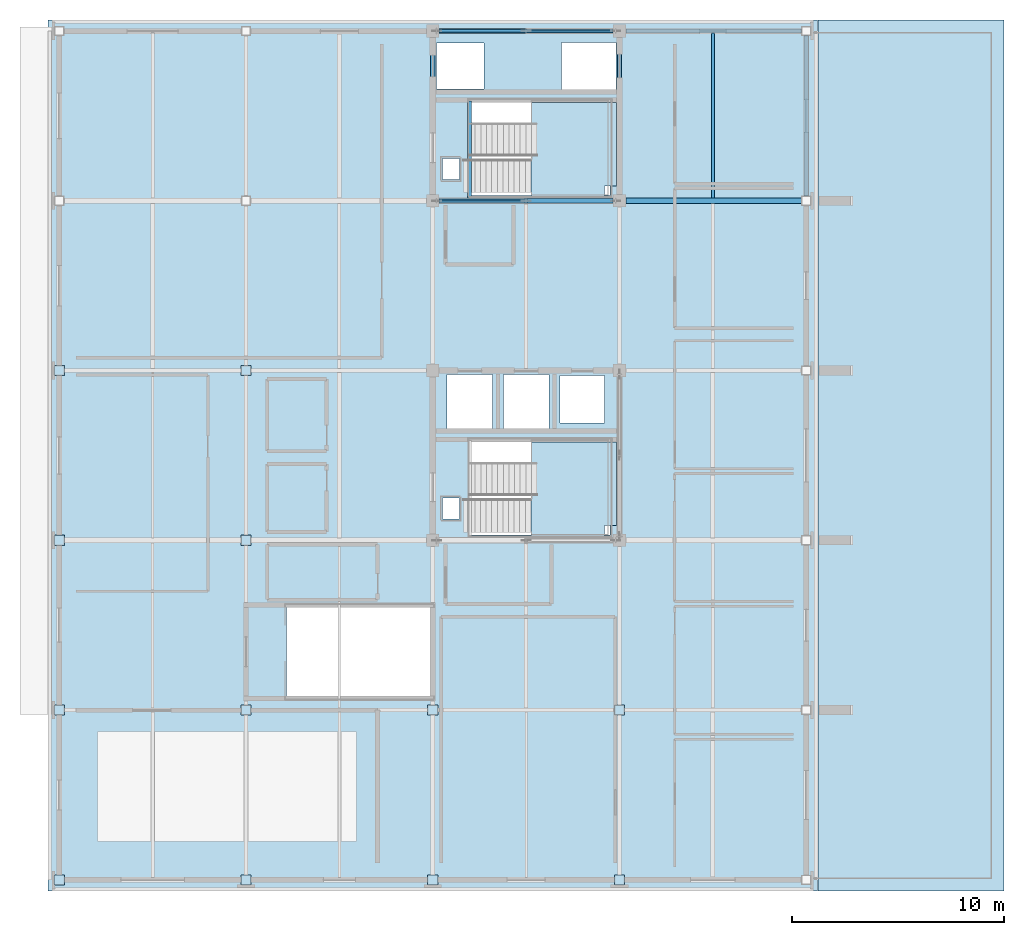
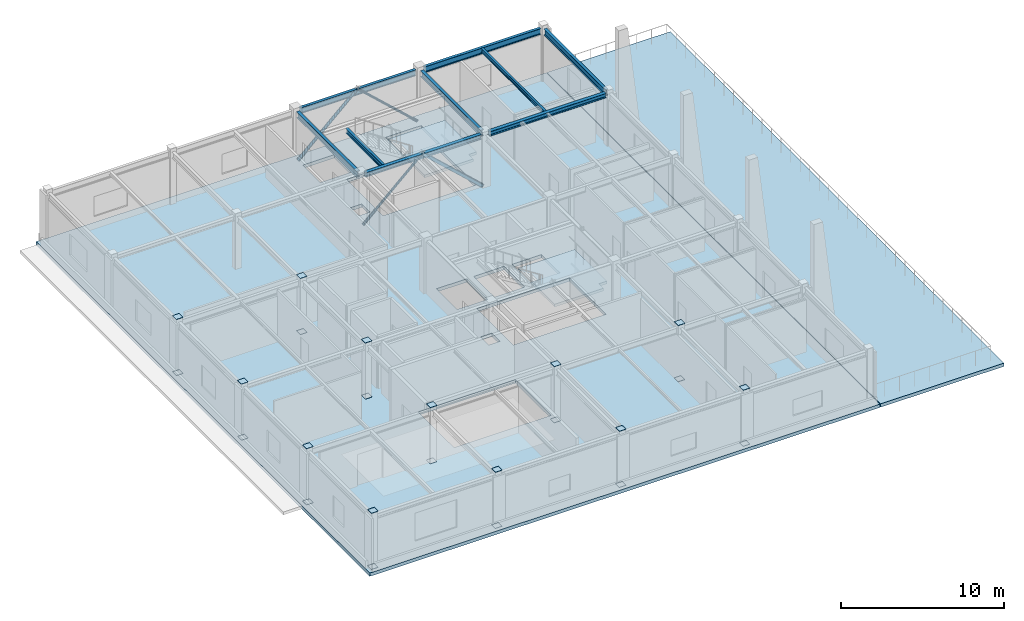
# One storey, part 2 of 13: 28 plates, 9 beams, 4 members, 4 slabs, 2 elements without a shape of their own.
"""IFC4 building model written with IfcOpenShell, lengths in metres."""

import ifcopenshell
import ifcopenshell.guid

model = None  # the IFC model being written
_history = None  # IfcOwnerHistory: only IFC2X3 demands one
_inside = {}  # id of a spatial element -> (the spatial element, [elements in it])
_under = {}  # id of a project, library or spatial element -> (it, [spatial elements below it])
_declared = {}  # id of a project -> (the project, [libraries it declares])
_typed = {}  # id of a type object -> (the type object, [elements of that type])
_made_of = {}  # id of a material, layer set ... -> (it, [elements and type objects made of it])


def new_model(schema):
    """Start an empty IFC model of exactly this schema.

    Asked for "IFC4X3", IfcOpenShell would pick the latest addendum, in which some entities
    have other attributes; the version numbers below select the first issue.
    IFC2X3 requires an IfcOwnerHistory on every rooted entity: one is made here for all.
    """
    global model, _history
    if schema == "IFC4X3":
        model = ifcopenshell.file(schema_version=(4, 3, 0, 0))
    else:
        model = ifcopenshell.file(schema=schema)
    _inside.clear()
    _under.clear()
    _declared.clear()
    _typed.clear()
    _made_of.clear()
    _history = None
    if model.schema == "IFC2X3":
        org = make("IfcOrganization", Name="unknown")
        user = make(
            "IfcPersonAndOrganization",
            ThePerson=make("IfcPerson", FamilyName="unknown"),
            TheOrganization=org,
        )
        app = make(
            "IfcApplication",
            ApplicationDeveloper=org,
            Version="unknown",
            ApplicationFullName="unknown",
            ApplicationIdentifier="unknown",
        )
        _history = make(
            "IfcOwnerHistory",
            OwningUser=user,
            OwningApplication=app,
            ChangeAction="ADDED",
            CreationDate=0,
        )
    return model


def make(cls, **values):
    """One entity of the class cls with the attributes given. An attribute that is None is left unset."""
    return model.create_entity(
        cls, **{name: value for name, value in values.items() if value is not None}
    )


def rooted(cls, **values):
    """An entity with a GlobalId (a new one), such as an element, a storey or a relation."""
    return make(cls, GlobalId=ifcopenshell.guid.new(), OwnerHistory=_history, **values)


def si_unit(unit_type, name, prefix=None):
    """IfcSIUnit, for example si_unit("LENGTHUNIT", "METRE", prefix="MILLI")."""
    return make("IfcSIUnit", UnitType=unit_type, Prefix=prefix, Name=name)


def assignment(units):
    """IfcUnitAssignment: the units of a project."""
    return None if units is None else make("IfcUnitAssignment", Units=units)


def point(xyz):
    """IfcCartesianPoint."""
    return None if xyz is None else make("IfcCartesianPoint", Coordinates=xyz)


def direction(xyz):
    """IfcDirection."""
    return None if xyz is None else make("IfcDirection", DirectionRatios=xyz)


def frame(location, z_axis=None, x_axis=None):
    """IfcAxis2Placement3D, a coordinate frame: its origin and axes. An axis left out is left unset."""
    return make(
        "IfcAxis2Placement3D",
        Location=point(location),
        Axis=direction(z_axis),
        RefDirection=direction(x_axis),
    )


def frame_2d(location, x_axis=None):
    """IfcAxis2Placement2D, a coordinate frame in the plane: its origin and x axis."""
    return make(
        "IfcAxis2Placement2D", Location=point(location), RefDirection=direction(x_axis)
    )


def origin():
    """The frame at (0, 0, 0) with its axes left unset."""
    return frame((0.0, 0.0, 0.0))


def origin_2d():
    """The frame at (0, 0) in the plane with its x axis left unset."""
    return frame_2d((0.0, 0.0))


def place(relative_to, where):
    """IfcLocalPlacement: puts the frame where relative to a parent placement (None: the world)."""
    return make(
        "IfcLocalPlacement", PlacementRelTo=relative_to, RelativePlacement=where
    )


def context(
    kind, dimensions, precision=None, world=None, true_north=None, identifier=None
):
    """IfcGeometricRepresentationContext, for example the 3D "Model" context."""
    return make(
        "IfcGeometricRepresentationContext",
        ContextIdentifier=identifier,
        ContextType=kind,
        CoordinateSpaceDimension=dimensions,
        Precision=precision,
        WorldCoordinateSystem=world,
        TrueNorth=true_north,
    )


def subcontext(parent, identifier, kind, view, scale=None):
    """IfcGeometricRepresentationSubContext, for example "Body" below "Model"."""
    return make(
        "IfcGeometricRepresentationSubContext",
        ContextIdentifier=identifier,
        ContextType=kind,
        ParentContext=parent,
        TargetScale=scale,
        TargetView=view,
    )


def project(units=None, contexts=None):
    """IfcProject with its units and contexts."""
    return rooted(
        "IfcProject",
        Name="project",
        RepresentationContexts=contexts,
        UnitsInContext=assignment(units),
    )


def spatial(cls, under=None, at=None, **own):
    """A site, building, storey or space (cls), placed at a placement, below another one or the project."""
    s = rooted(cls, ObjectPlacement=at, **own)
    if under is not None:
        _under.setdefault(under.id(), (under, []))[1].append(s)
    return s


def polyline(points):
    """IfcPolyline through the points."""
    return make("IfcPolyline", Points=[point(p) for p in points])


def profile(cls, at=None, kind="AREA", **sizes):
    """A parametric profile (cls). Its sizes go by their IFC names, for example OverallWidth=200.0."""
    return make(cls, ProfileType=kind, Position=at, **sizes)


def rectangle(**sizes):
    """IfcRectangleProfileDef."""
    return profile("IfcRectangleProfileDef", **sizes)


def hollow_rectangle(**sizes):
    """IfcRectangleHollowProfileDef."""
    return profile("IfcRectangleHollowProfileDef", **sizes)


def hollow_circle(**sizes):
    """IfcCircleHollowProfileDef."""
    return profile("IfcCircleHollowProfileDef", **sizes)


def i_section(**sizes):
    """IfcIShapeProfileDef."""
    return profile("IfcIShapeProfileDef", **sizes)


def outline(outer, holes=None, kind="AREA"):
    """IfcArbitraryClosedProfileDef: a profile drawn as a closed curve; with holes, ...WithVoids."""
    if holes is None:
        return make("IfcArbitraryClosedProfileDef", ProfileType=kind, OuterCurve=outer)
    return make(
        "IfcArbitraryProfileDefWithVoids",
        ProfileType=kind,
        OuterCurve=outer,
        InnerCurves=holes,
    )


def extrude(swept, where, along, depth):
    """IfcExtrudedAreaSolid: the profile swept, set in the frame where, extruded along a direction by depth."""
    return make(
        "IfcExtrudedAreaSolid",
        SweptArea=swept,
        Position=where,
        ExtrudedDirection=direction(along),
        Depth=depth,
    )


def shape(context_of_items, identifier, shape_type, items):
    """IfcShapeRepresentation: the items that make up one representation, for example the "Body"."""
    return make(
        "IfcShapeRepresentation",
        ContextOfItems=context_of_items,
        RepresentationIdentifier=identifier,
        RepresentationType=shape_type,
        Items=items,
    )


def material(Name=None, Category=None):
    """IfcMaterial."""
    return make("IfcMaterial", Name=Name, Category=Category)


def layer(
    of_material, thickness, ventilated=None, Name=None, Category=None, Priority=None
):
    """IfcMaterialLayer: one layer of a wall or slab, of a material (None: an air gap)."""
    return make(
        "IfcMaterialLayer",
        Material=of_material,
        LayerThickness=thickness,
        IsVentilated=ventilated,
        Name=Name,
        Category=Category,
        Priority=Priority,
    )


def layer_set(layers, Name=None):
    """IfcMaterialLayerSet."""
    return make("IfcMaterialLayerSet", MaterialLayers=layers, LayerSetName=Name)


def material_profile(
    of_material, cross_section, Name=None, Category=None, Priority=None
):
    """IfcMaterialProfile: a cross section and its material."""
    return make(
        "IfcMaterialProfile",
        Name=Name,
        Material=of_material,
        Profile=cross_section,
        Priority=Priority,
        Category=Category,
    )


def profile_set(profiles, Name=None, composite=None):
    """IfcMaterialProfileSet."""
    return make(
        "IfcMaterialProfileSet",
        Name=Name,
        MaterialProfiles=profiles,
        CompositeProfile=composite,
    )


def made_of(thing, what):
    """Note that an element or type object is made of a material, layer set ...; save() writes the relation."""
    if what is not None:
        _made_of.setdefault(what.id(), (what, []))[1].append(thing)
    return thing


def type_object(cls, material=None, **own):
    """A type object (cls), such as IfcWallType, which elements share."""
    return made_of(rooted(cls, **own), material)


def element(
    cls,
    number,
    at=None,
    inside=None,
    cuts=None,
    type_object=None,
    material=None,
    context=None,
    identifier="Body",
    shape_type=None,
    held_by="IfcProductDefinitionShape",
    body=None,
    shapes=None,
    **own,
):
    """One element of the class cls, such as IfcWall. Its Tag is "e" and its number.

    at: its placement. inside: the storey or other place that contains it. cuts: it is an
    opening in that element (IfcRelVoidsElement). A single representation is given by context,
    identifier, shape_type and body (its items); several are given by shapes. held_by: the class
    of the entity that holds the representations. save() writes the other relations.
    """
    e = rooted(cls, Tag="e%d" % number, ObjectPlacement=at, **own)
    if body is not None:
        shapes = [shape(context, identifier, shape_type, body)]
    if shapes is not None:
        e.Representation = make(held_by, Representations=shapes)
    if inside is not None:
        _inside.setdefault(inside.id(), (inside, []))[1].append(e)
    if cuts is not None:
        rooted(
            "IfcRelVoidsElement", RelatingBuildingElement=cuts, RelatedOpeningElement=e
        )
    if type_object is not None:
        _typed.setdefault(type_object.id(), (type_object, []))[1].append(e)
    return made_of(e, material)


def aggregate(whole, parts):
    """IfcRelAggregates: a whole, such as a stair, and the parts it consists of."""
    return rooted("IfcRelAggregates", RelatingObject=whole, RelatedObjects=parts)


def save(model, path):
    """Write the relations noted so far, then the file.

    IfcRelAggregates (storeys below a building ...), IfcRelContainedInSpatialStructure (elements
    in a storey), IfcRelDefinesByType, IfcRelAssociatesMaterial and IfcRelDeclares: one each for
    every whole, place, type object, material and project.
    """
    for whole, parts in _under.values():
        aggregate(whole, parts)
    for where, things in _inside.values():
        rooted(
            "IfcRelContainedInSpatialStructure",
            RelatedElements=things,
            RelatingStructure=where,
        )
    for kind, things in _typed.values():
        rooted("IfcRelDefinesByType", RelatedObjects=things, RelatingType=kind)
    for what, things in _made_of.values():
        rooted("IfcRelAssociatesMaterial", RelatedObjects=things, RelatingMaterial=what)
    for by, libraries in _declared.values():
        rooted("IfcRelDeclares", RelatingContext=by, RelatedDefinitions=libraries)
    model.write(path)


model = new_model("IFC4")

# Units and contexts
model_context = context("Model", 3, precision=1e-05, world=origin(), true_north=direction((0.0, 1.0)))
body_context = subcontext(model_context, "Body", "Model", "MODEL_VIEW")
ifc_project = project(units=[si_unit("LENGTHUNIT", "METRE"), si_unit("AREAUNIT", "SQUARE_METRE"), si_unit("VOLUMEUNIT", "CUBIC_METRE"), si_unit("PLANEANGLEUNIT", "RADIAN"), si_unit("MASSUNIT", "GRAM", prefix="KILO")], contexts=[model_context])

# Site, building, storey
site_placement = place(None, origin())
site = spatial("IfcSite", under=ifc_project, at=site_placement, CompositionType="ELEMENT")
building_placement = place(site_placement, origin())
building = spatial("IfcBuilding", under=site, at=building_placement, Name="Zhaolan Boulevard Law Courts", CompositionType="ELEMENT")
storey_placement = place(building_placement, frame((0.0, 0.0, 37.199951171875)))
storey = spatial("IfcBuildingStorey", under=building, at=storey_placement, Name="L08", CompositionType="ELEMENT", Elevation=37.199951171875)

# Members
ifc_material_1 = material(Name="Structural steel Q355B", Category="steel")
ifc_material_profile_1 = material_profile(ifc_material_1, hollow_circle(Radius=0.109619140625, WallThickness=0.008056640625, at=origin_2d()), Name="CHS219x8")
ifc_profile_set_1 = profile_set([ifc_material_profile_1], Name="Structural steel Q355B")
member_type_1 = type_object("IfcMemberType", Name="BRACE CHS219", PredefinedType="BRACE", material=ifc_profile_set_1)
member_1_placement = place(storey_placement, frame((17.780029296875, 70.0, 0.030029296875), z_axis=(0.73525664892, 0.0, 0.677788802076), x_axis=(0.0, 1.0, 0.0)))
element("IfcMember", 1, at=member_1_placement, inside=storey, type_object=member_type_1, Name="Core Brace BR-W2-L08-N1", PredefinedType="BRACE", context=body_context, shape_type="SweptSolid", body=[
    extrude(hollow_circle(Radius=0.109619140625, WallThickness=0.008056640625, at=origin_2d()), origin(), (0.0, 0.0, 1.0), 5.739501953125),
])
ifc_material_2 = material(Name="Structural steel Q355B", Category="steel")
ifc_material_profile_2 = material_profile(ifc_material_2, hollow_rectangle(XDim=0.219970703125, YDim=0.219970703125, WallThickness=0.010009765625, InnerFilletRadius=0.010009765625, OuterFilletRadius=0.02001953125, at=origin_2d()), Name="HSS220x220x10")
ifc_profile_set_2 = profile_set([ifc_material_profile_2], Name="Structural steel Q355B")
member_type_2 = type_object("IfcMemberType", Name="BRACE HSS220", PredefinedType="BRACE", material=ifc_profile_set_2)
member_2_placement = place(storey_placement, frame((26.219970703125, 62.0, 0.030029296875), z_axis=(-0.73525664892, 0.0, 0.677788802076), x_axis=(0.0, -1.0, 0.0)))
element("IfcMember", 2, at=member_2_placement, inside=storey, type_object=member_type_2, Name="Core Brace BR-W2-L08-S2", PredefinedType="BRACE", context=body_context, shape_type="SweptSolid", body=[
    extrude(hollow_rectangle(XDim=0.219970703125, YDim=0.219970703125, WallThickness=0.010009765625, InnerFilletRadius=0.010009765625, OuterFilletRadius=0.02001953125, at=origin_2d()), origin(), (0.0, 0.0, 1.0), 5.739501953125),
])

# Beams
ifc_material_3 = material(Name="Structural steel Q355B", Category="steel")
ifc_material_profile_3 = material_profile(ifc_material_3, i_section(OverallWidth=0.199951171875, OverallDepth=0.449951171875, WebThickness=0.009033203125, FlangeThickness=0.013916015625, FilletRadius=0.01611328125, at=origin_2d()), Name="HN450x200")
ifc_profile_set_3 = profile_set([ifc_material_profile_3], Name="Structural steel Q355B")
beam_type_1 = type_object("IfcBeamType", Name="GIRDER HN450", PredefinedType="BEAM", material=ifc_profile_set_3)
beam_1_placement = place(storey_placement, frame((17.89599609375, 70.0, 3.72314453125), z_axis=(1.0, 0.0, 0.0), x_axis=(0.0, 1.0, 0.0)))
element("IfcBeam", 3, at=beam_1_placement, inside=storey, type_object=beam_type_1, Name="Beam BX-L09-3-4-K", PredefinedType="BEAM", context=body_context, shape_type="SweptSolid", body=[
    extrude(i_section(OverallWidth=0.199951171875, OverallDepth=0.449951171875, WebThickness=0.009033203125, FlangeThickness=0.013916015625, FilletRadius=0.01611328125, at=origin_2d()), origin(), (0.0, 0.0, 1.0), 8.2080078125),
])
beam_2_placement = place(storey_placement, frame((26.696044921875, 70.0, 3.72314453125), z_axis=(1.0, 0.0, 0.0), x_axis=(0.0, 1.0, 0.0)))
element("IfcBeam", 4, at=beam_2_placement, inside=storey, type_object=beam_type_1, Name="Beam BX-L09-4-5-K", PredefinedType="BEAM", context=body_context, shape_type="SweptSolid", body=[
    extrude(i_section(OverallWidth=0.199951171875, OverallDepth=0.449951171875, WebThickness=0.009033203125, FlangeThickness=0.013916015625, FilletRadius=0.01611328125, at=origin_2d()), origin(), (0.0, 0.0, 1.0), 8.282958984375),
])
for number, where, z_axis, x_axis, name in (
    (5, (17.60009765625, 62.2958984375, 3.72314453125), (0.0, 1.0, 0.0), (-1.0, 0.0, 0.0), "Beam BY-L09-3-J-K"),
    (6, (26.39990234375, 62.2958984375, 3.72314453125), (0.0, 1.0, 0.0), (-1.0, 0.0, 0.0), "Beam BY-L09-4-J-K"),
):
    element("IfcBeam", number, at=place(storey_placement, frame(where, z_axis=z_axis, x_axis=x_axis)), inside=storey, type_object=beam_type_1, Name=name, PredefinedType="BEAM", context=body_context, shape_type="SweptSolid", body=[
        extrude(i_section(OverallWidth=0.199951171875, OverallDepth=0.449951171875, WebThickness=0.009033203125, FlangeThickness=0.013916015625, FilletRadius=0.01611328125, at=origin_2d()), origin(), (0.0, 0.0, 1.0), 7.408203125),
    ])
beam_3_placement = place(storey_placement, frame((35.199951171875, 62.220947265625, 3.72314453125), z_axis=(0.0, 1.0, 0.0), x_axis=(-1.0, 0.0, 0.0)))
element("IfcBeam", 7, at=beam_3_placement, inside=storey, type_object=beam_type_1, Name="Beam BY-L09-5-J-K", PredefinedType="BEAM", context=body_context, shape_type="SweptSolid", body=[
    extrude(i_section(OverallWidth=0.199951171875, OverallDepth=0.449951171875, WebThickness=0.009033203125, FlangeThickness=0.013916015625, FilletRadius=0.01611328125, at=origin_2d()), origin(), (0.0, 0.0, 1.0), 7.55810546875),
])
ifc_material_4 = material(Name="Structural steel Q355B", Category="steel")
ifc_material_profile_4 = material_profile(ifc_material_4, i_section(OverallWidth=0.14990234375, OverallDepth=0.300048828125, WebThickness=0.006591796875, FlangeThickness=0.009033203125, FilletRadius=0.010986328125, at=origin_2d()), Name="HN300x150")
ifc_profile_set_4 = profile_set([ifc_material_profile_4], Name="Structural steel Q355B")
beam_type_2 = type_object("IfcBeamType", Name="JOIST HN300", PredefinedType="JOIST", material=ifc_profile_set_4)
beam_4_placement = place(storey_placement, frame((30.800048828125, 62.12109375, 3.798095703125), z_axis=(0.0, 1.0, 0.0), x_axis=(-1.0, 0.0, 0.0)))
element("IfcBeam", 8, at=beam_4_placement, inside=storey, type_object=beam_type_2, Name="Composite Joist J-L09-4J", PredefinedType="JOIST", context=body_context, shape_type="SweptSolid", body=[
    extrude(i_section(OverallWidth=0.14990234375, OverallDepth=0.300048828125, WebThickness=0.006591796875, FlangeThickness=0.009033203125, FilletRadius=0.010986328125, at=origin_2d()), origin(), (0.0, 0.0, 1.0), 7.782958984375),
])
ifc_material_5 = material(Name="Structural steel Q355B", Category="steel")
ifc_material_profile_5 = material_profile(ifc_material_5, i_section(OverallWidth=0.25, OverallDepth=0.340087890625, WebThickness=0.009033203125, FlangeThickness=0.013916015625, FilletRadius=0.01611328125, at=origin_2d()), Name="HM340x250")
ifc_profile_set_5 = profile_set([ifc_material_profile_5], Name="Structural steel Q355B")
beam_type_3 = type_object("IfcBeamType", Name="SPANDREL HM340", PredefinedType="SPANDREL", material=ifc_profile_set_5)
beam_5_placement = place(storey_placement, frame((17.89599609375, 62.0, 3.778076171875), z_axis=(1.0, 0.0, 0.0), x_axis=(0.0, 1.0, 0.0)))
element("IfcBeam", 9, at=beam_5_placement, inside=storey, type_object=beam_type_3, Name="Beam BX-L09-3-4-J", PredefinedType="SPANDREL", context=body_context, shape_type="SweptSolid", body=[
    extrude(i_section(OverallWidth=0.25, OverallDepth=0.340087890625, WebThickness=0.009033203125, FlangeThickness=0.013916015625, FilletRadius=0.01611328125, at=origin_2d()), origin(), (0.0, 0.0, 1.0), 8.2080078125),
])
beam_6_placement = place(storey_placement, frame((26.696044921875, 62.0, 3.778076171875), z_axis=(1.0, 0.0, 0.0), x_axis=(0.0, 1.0, 0.0)))
element("IfcBeam", 10, at=beam_6_placement, inside=storey, type_object=beam_type_3, Name="Beam BX-L09-4-5-J", PredefinedType="SPANDREL", context=body_context, shape_type="SweptSolid", body=[
    extrude(i_section(OverallWidth=0.25, OverallDepth=0.340087890625, WebThickness=0.009033203125, FlangeThickness=0.013916015625, FilletRadius=0.01611328125, at=origin_2d()), origin(), (0.0, 0.0, 1.0), 8.282958984375),
])
ifc_material_6 = material(Name="Structural steel Q355B", Category="steel")
ifc_material_profile_6 = material_profile(ifc_material_6, i_section(OverallWidth=0.175048828125, OverallDepth=0.35009765625, WebThickness=0.007080078125, FlangeThickness=0.010986328125, FilletRadius=0.012939453125, at=origin_2d()), Name="HN350x175")
ifc_profile_set_6 = profile_set([ifc_material_profile_6], Name="Structural steel Q355B")
beam_type_4 = type_object("IfcBeamType", Name="STAIR TRIMMER HN350", PredefinedType="BEAM", material=ifc_profile_set_6)
beam_7_placement = place(storey_placement, frame((19.3349609375, 62.139892578125, 3.735107421875), z_axis=(0.0, 1.0, 0.0), x_axis=(-1.0, 0.0, 0.0)))
element("IfcBeam", 11, at=beam_7_placement, inside=storey, type_object=beam_type_4, Name="Stair Landing Trimmer Beam STB-ST02-L09", PredefinedType="BEAM", context=body_context, shape_type="SweptSolid", body=[
    extrude(i_section(OverallWidth=0.175048828125, OverallDepth=0.35009765625, WebThickness=0.007080078125, FlangeThickness=0.010986328125, FilletRadius=0.012939453125, at=origin_2d()), origin(), (0.0, 0.0, 1.0), 4.570068359375),
])

# Members
ifc_material_7 = material(Name="Structural steel Q355B", Category="steel")
ifc_material_profile_7 = material_profile(ifc_material_7, hollow_circle(Radius=0.083984375, WallThickness=0.008056640625, at=origin_2d()), Name="CHS168x8")
ifc_profile_set_7 = profile_set([ifc_material_profile_7], Name="Structural steel Q355B")
member_type_3 = type_object("IfcMemberType", Name="STRUT CHS168", PredefinedType="BRACE", material=ifc_profile_set_7)
for number, where, z_axis, x_axis, name in (
    (12, (26.219970703125, 70.0, 0.030029296875), (-0.73525664892, 0.0, 0.677788802076), (0.0, -1.0, 0.0), "Core Brace BR-W2-L08-N2"),
    (13, (17.780029296875, 62.0, 0.030029296875), (0.73525664892, 0.0, 0.677788802076), (0.0, 1.0, 0.0), "Core Brace BR-W2-L08-S1"),
):
    element("IfcMember", number, at=place(storey_placement, frame(where, z_axis=z_axis, x_axis=x_axis)), inside=storey, type_object=member_type_3, Name=name, PredefinedType="BRACE", context=body_context, shape_type="SweptSolid", body=[
        extrude(hollow_circle(Radius=0.083984375, WallThickness=0.008056640625, at=origin_2d()), origin(), (0.0, 0.0, 1.0), 5.739501953125),
    ])

# Plates
ifc_material_8 = material(Name="Structural steel Q355B", Category="steel")
ifc_layer_1 = layer(ifc_material_8, 0.02001953125)
ifc_layer_set_1 = layer_set([ifc_layer_1])
plate_type = type_object("IfcPlateType", Name="END CAP PLATE 20", PredefinedType="SHEET", material=ifc_layer_set_1)
for number, where, z_axis, x_axis, name in (
    (14, (0.0, 30.0, 4.179931640625), (0.0, 0.0, 1.0), (1.0, 0.0, 0.0), "Hollow Column Top End-Cap Plate ECP-1E"),
    (15, (8.800048828125, 30.0, 4.179931640625), (0.0, 0.0, 1.0), (1.0, 0.0, 0.0), "Hollow Column Top End-Cap Plate ECP-2E"),
    (16, (17.60009765625, 30.0, 4.179931640625), (0.0, 0.0, 1.0), (1.0, 0.0, 0.0), "Hollow Column Top End-Cap Plate ECP-3E"),
    (17, (26.39990234375, 30.0, 4.179931640625), (0.0, 0.0, 1.0), (1.0, 0.0, 0.0), "Hollow Column Top End-Cap Plate ECP-4E"),
):
    element("IfcPlate", number, at=place(storey_placement, frame(where, z_axis=z_axis, x_axis=x_axis)), inside=storey, type_object=plate_type, Name=name, PredefinedType="SHEET", context=body_context, shape_type="SweptSolid", body=[
        extrude(rectangle(XDim=0.449951171875, YDim=0.449951171875, at=origin_2d()), origin(), (0.0, 0.0, 1.0), 0.02001953125),
    ])
for number, where, z_axis, x_axis, name in (
    (18, (0.0, 30.0, -0.01806640625), (0.0, 0.0, 1.0), (1.0, 0.0, 0.0), "Hollow Section End-Cap Plate ECP-0019"),
    (19, (0.0, 30.0, 4.197998046875), (0.0, 0.0, 1.0), (1.0, 0.0, 0.0), "Hollow Section End-Cap Plate ECP-0020"),
    (20, (0.0, 38.0, -0.01806640625), (0.0, 0.0, 1.0), (1.0, 0.0, 0.0), "Hollow Section End-Cap Plate ECP-0039"),
    (21, (0.0, 38.0, 4.197998046875), (0.0, 0.0, 1.0), (1.0, 0.0, 0.0), "Hollow Section End-Cap Plate ECP-0040"),
    (22, (0.0, 46.0, -0.01806640625), (0.0, 0.0, 1.0), (1.0, 0.0, 0.0), "Hollow Section End-Cap Plate ECP-0061"),
    (23, (0.0, 46.0, 4.197998046875), (0.0, 0.0, 1.0), (1.0, 0.0, 0.0), "Hollow Section End-Cap Plate ECP-0062"),
    (24, (0.0, 54.0, -0.01806640625), (0.0, 0.0, 1.0), (1.0, 0.0, 0.0), "Hollow Section End-Cap Plate ECP-0083"),
    (25, (0.0, 54.0, 4.197998046875), (0.0, 0.0, 1.0), (1.0, 0.0, 0.0), "Hollow Section End-Cap Plate ECP-0084"),
    (26, (8.800048828125, 30.0, -0.01806640625), (0.0, 0.0, 1.0), (1.0, 0.0, 0.0), "Hollow Section End-Cap Plate ECP-0153"),
    (27, (8.800048828125, 30.0, 4.197998046875), (0.0, 0.0, 1.0), (1.0, 0.0, 0.0), "Hollow Section End-Cap Plate ECP-0154"),
    (28, (8.800048828125, 38.0, -0.01806640625), (0.0, 0.0, 1.0), (1.0, 0.0, 0.0), "Hollow Section End-Cap Plate ECP-0173"),
    (29, (8.800048828125, 38.0, 4.197998046875), (0.0, 0.0, 1.0), (1.0, 0.0, 0.0), "Hollow Section End-Cap Plate ECP-0174"),
    (30, (8.800048828125, 46.0, -0.01806640625), (0.0, 0.0, 1.0), (1.0, 0.0, 0.0), "Hollow Section End-Cap Plate ECP-0195"),
    (31, (8.800048828125, 46.0, 4.197998046875), (0.0, 0.0, 1.0), (1.0, 0.0, 0.0), "Hollow Section End-Cap Plate ECP-0196"),
    (32, (8.800048828125, 54.0, -0.01806640625), (0.0, 0.0, 1.0), (1.0, 0.0, 0.0), "Hollow Section End-Cap Plate ECP-0217"),
    (33, (8.800048828125, 54.0, 4.197998046875), (0.0, 0.0, 1.0), (1.0, 0.0, 0.0), "Hollow Section End-Cap Plate ECP-0218"),
    (34, (17.60009765625, 30.0, -0.01806640625), (0.0, 0.0, 1.0), (1.0, 0.0, 0.0), "Hollow Section End-Cap Plate ECP-0287"),
    (35, (17.60009765625, 30.0, 4.197998046875), (0.0, 0.0, 1.0), (1.0, 0.0, 0.0), "Hollow Section End-Cap Plate ECP-0288"),
    (36, (17.60009765625, 38.0, -0.01806640625), (0.0, 0.0, 1.0), (1.0, 0.0, 0.0), "Hollow Section End-Cap Plate ECP-0307"),
    (37, (17.60009765625, 38.0, 4.197998046875), (0.0, 0.0, 1.0), (1.0, 0.0, 0.0), "Hollow Section End-Cap Plate ECP-0308"),
    (38, (26.39990234375, 30.0, -0.01806640625), (0.0, 0.0, 1.0), (1.0, 0.0, 0.0), "Hollow Section End-Cap Plate ECP-0333"),
    (39, (26.39990234375, 30.0, 4.197998046875), (0.0, 0.0, 1.0), (1.0, 0.0, 0.0), "Hollow Section End-Cap Plate ECP-0334"),
    (40, (26.39990234375, 38.0, -0.01806640625), (0.0, 0.0, 1.0), (1.0, 0.0, 0.0), "Hollow Section End-Cap Plate ECP-0353"),
    (41, (26.39990234375, 38.0, 4.197998046875), (0.0, 0.0, 1.0), (1.0, 0.0, 0.0), "Hollow Section End-Cap Plate ECP-0354"),
):
    element("IfcPlate", number, at=place(storey_placement, frame(where, z_axis=z_axis, x_axis=x_axis)), inside=storey, type_object=plate_type, Name=name, PredefinedType="SHEET", context=body_context, shape_type="SweptSolid", body=[
        extrude(rectangle(XDim=0.47998046875, YDim=0.47998046875, at=origin_2d()), origin(), (0.0, 0.0, 1.0), 0.02001953125),
    ])

# Slab
ifc_material_9 = material(Name="Concrete C40", Category="concrete")
ifc_layer_2 = layer(ifc_material_9, 0.25)
ifc_layer_set_2 = layer_set([ifc_layer_2])
slab_type_1 = type_object("IfcSlabType", Name="FLOOR SLAB 250", PredefinedType="FLOOR", material=ifc_layer_set_2)
slab_1_placement = place(storey_placement, frame((0.0, 0.0, -0.25)))
element("IfcSlab", 42, at=slab_1_placement, inside=storey, type_object=slab_type_1, Name="Slab SLB-L08-V5", PredefinedType="FLOOR", context=body_context, shape_type="SweptSolid", body=[
    extrude(outline(polyline([(-0.52001953125, 29.47998046875), (35.719970703125, 29.47998046875), (35.719970703125, 70.52001953125), (-0.52001953125, 70.52001953125), (-0.52001953125, 29.47998046875)]), holes=[polyline([(18.27490234375, 51.27490234375), (20.425048828125, 51.27490234375), (20.425048828125, 53.824951171875), (18.27490234375, 53.824951171875), (18.27490234375, 51.27490234375)]), polyline([(20.925048828125, 51.27490234375), (23.074951171875, 51.27490234375), (23.074951171875, 53.824951171875), (20.925048828125, 53.824951171875), (20.925048828125, 51.27490234375)]), polyline([(23.675048828125, 67.25), (26.22509765625, 67.25), (26.22509765625, 69.449951171875), (23.675048828125, 69.449951171875), (23.675048828125, 67.25)]), polyline([(23.60009765625, 51.52490234375), (25.699951171875, 51.52490234375), (25.699951171875, 53.77490234375), (23.60009765625, 53.77490234375), (23.60009765625, 51.52490234375)]), polyline([(17.77490234375, 67.27490234375), (20.02490234375, 67.27490234375), (20.02490234375, 69.425048828125), (17.77490234375, 69.425048828125), (17.77490234375, 67.27490234375)]), polyline([(19.35009765625, 46.25), (25.949951171875, 46.25), (25.949951171875, 50.75), (19.35009765625, 50.75), (19.35009765625, 46.25)]), polyline([(19.35009765625, 62.25), (25.949951171875, 62.25), (25.949951171875, 66.75), (19.35009765625, 66.75), (19.35009765625, 62.25)]), polyline([(10.699951171875, 38.550048828125), (17.60009765625, 38.550048828125), (17.60009765625, 42.949951171875), (10.699951171875, 42.949951171875), (10.699951171875, 38.550048828125)]), polyline([(18.050048828125, 47.0), (18.85009765625, 47.0), (18.85009765625, 48.0), (18.050048828125, 48.0), (18.050048828125, 47.0)]), polyline([(18.050048828125, 63.0), (18.85009765625, 63.0), (18.85009765625, 64.0), (18.050048828125, 64.0), (18.050048828125, 63.0)])]), origin(), (0.0, 0.0, 1.0), 0.25),
])

# Stair, slab
ifc_material_10 = material(Name="Concrete C40", Category="concrete")
stair_type = type_object("IfcStairType", Name="HALF TURN STAIR 42 B", PredefinedType="HALF_TURN_STAIR", material=ifc_material_10)
stair_1_placement = place(storey_placement, origin())
stair_1 = element("IfcStair", 43, at=stair_1_placement, inside=storey, type_object=stair_type, Name="Stair ST01-L08", PredefinedType="HALF_TURN_STAIR")
ifc_material_11 = material(Name="Concrete C40", Category="concrete")
ifc_layer_3 = layer(ifc_material_11, 0.199951171875)
ifc_layer_set_3 = layer_set([ifc_layer_3])
slab_type_2 = type_object("IfcSlabType", Name="STAIR LANDING 200", PredefinedType="LANDING", material=ifc_layer_set_3)
slab_2_placement = place(storey_placement, frame((0.0, 0.0, 1.900146484375)))
slab_2 = element("IfcSlab", 44, at=slab_2_placement, type_object=slab_type_2, Name="Stair Landing ST01-L08-L1", PredefinedType="LANDING", context=body_context, shape_type="SweptSolid", body=[
    extrude(outline(polyline([(22.22998046875, 46.14501953125), (25.695068359375, 46.14501953125), (25.695068359375, 46.705078125), (26.2548828125, 46.705078125), (26.2548828125, 50.639892578125), (22.22998046875, 50.639892578125), (22.22998046875, 46.14501953125)])), origin(), (0.0, 0.0, 1.0), 0.199951171875),
])
aggregate(stair_1, [slab_2])

stair_2_placement = place(storey_placement, origin())
stair_2 = element("IfcStair", 45, at=stair_2_placement, inside=storey, type_object=stair_type, Name="Stair ST02-L08", PredefinedType="HALF_TURN_STAIR")
slab_3_placement = place(storey_placement, frame((0.0, 0.0, 1.900146484375)))
slab_3 = element("IfcSlab", 46, at=slab_3_placement, type_object=slab_type_2, Name="Stair Landing ST02-L08-L1", PredefinedType="LANDING", context=body_context, shape_type="SweptSolid", body=[
    extrude(outline(polyline([(22.22998046875, 62.14501953125), (25.695068359375, 62.14501953125), (25.695068359375, 62.705078125), (26.2548828125, 62.705078125), (26.2548828125, 66.639892578125), (22.22998046875, 66.639892578125), (22.22998046875, 62.14501953125)])), origin(), (0.0, 0.0, 1.0), 0.199951171875),
])
aggregate(stair_2, [slab_3])

# Slab
ifc_material_12 = material(Name="Concrete C40", Category="concrete")
ifc_layer_4 = layer(ifc_material_12, 0.25)
ifc_layer_set_4 = layer_set([ifc_layer_4])
slab_type_3 = type_object("IfcSlabType", Name="TERRACE SLAB 250", PredefinedType="FLOOR", material=ifc_layer_set_4)
slab_4_placement = place(storey_placement, frame((0.0, 0.0, -0.25)))
element("IfcSlab", 47, at=slab_4_placement, inside=storey, type_object=slab_type_3, Name="Slab SLB-L08-TER", PredefinedType="FLOOR", context=body_context, shape_type="SweptSolid", body=[
    extrude(outline(polyline([(35.75, 29.47998046875), (44.52001953125, 29.47998046875), (44.52001953125, 70.52001953125), (35.75, 70.52001953125), (35.75, 29.47998046875)])), origin(), (0.0, 0.0, 1.0), 0.25),
])

save(model, "model.ifc")
